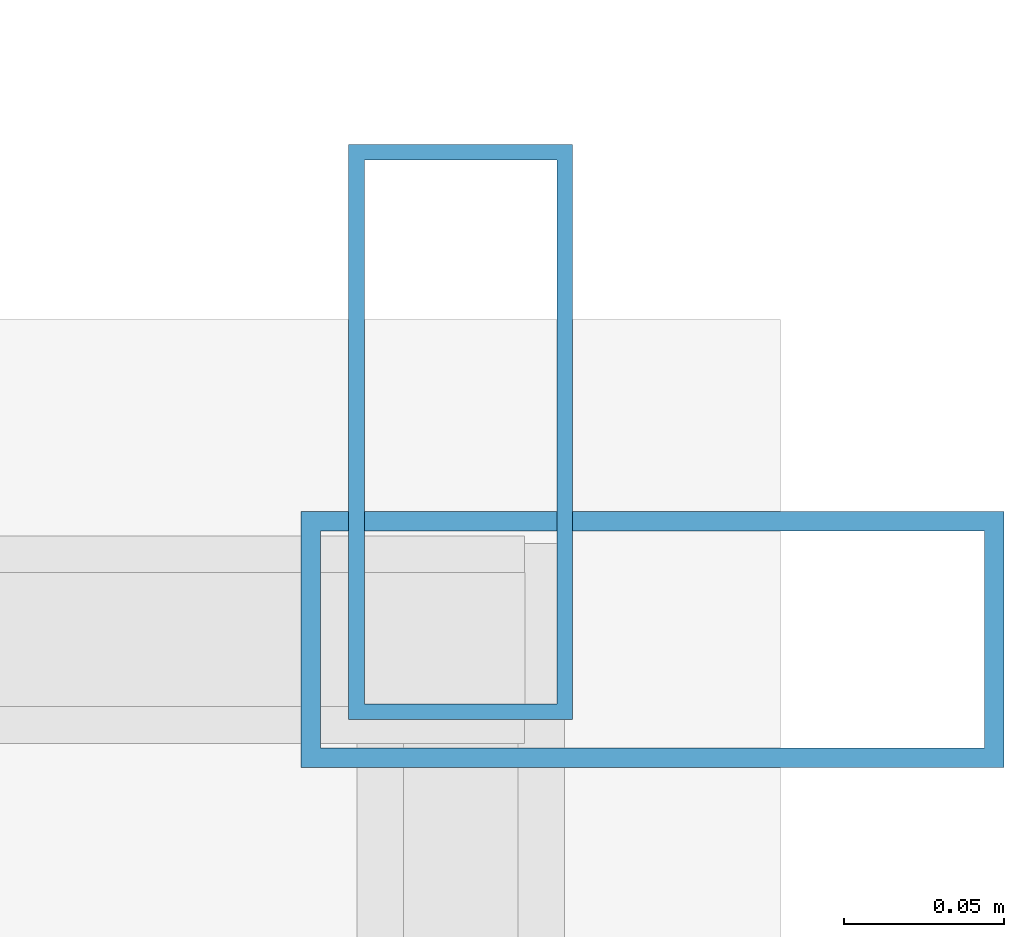
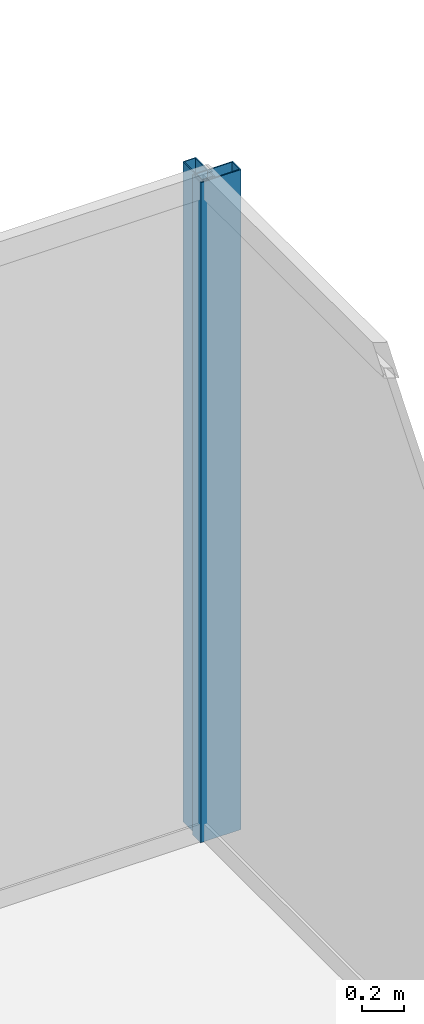
# One storey, part 26 of 33: 2 members, 2 elements without a shape of their own.
"""IFC4 building model written with IfcOpenShell, lengths in metres."""

from ifc_helpers import new_model, si_unit, direction, frame, origin, origin_2d, place, context, subcontext, project, spatial, hollow_rectangle, extrude, source, transform, mapped, material, layer, layer_set, material_profile, profile_set, type_object, type_shapes, element, aggregate, save


model = new_model("IFC4")

# Units and contexts
model_context = context("Model", 3, precision=1e-05, world=origin(), true_north=direction((0.0, 1.0)))
body_context = subcontext(model_context, "Body", "Model", "MODEL_VIEW")
ifc_project = project(units=[si_unit("LENGTHUNIT", "METRE"), si_unit("AREAUNIT", "SQUARE_METRE"), si_unit("VOLUMEUNIT", "CUBIC_METRE"), si_unit("PLANEANGLEUNIT", "RADIAN"), si_unit("MASSUNIT", "GRAM", prefix="KILO")], contexts=[model_context])

# Site, building, storey
site_placement = place(None, origin())
site = spatial("IfcSite", under=ifc_project, at=site_placement, CompositionType="ELEMENT")
building_placement = place(site_placement, origin())
building = spatial("IfcBuilding", under=site, at=building_placement, Name="Haelvirn Gate Laboratories", CompositionType="ELEMENT")
storey_placement = place(building_placement, frame((0.0, 0.0, 279.300048828125)))
storey = spatial("IfcBuildingStorey", under=building, at=storey_placement, Name="L67", CompositionType="ELEMENT", Elevation=279.300048828125)

# Curtain wall, member
ifc_material_1 = material(Name="Anodised bronze unitised aluminium & triple low-E glass", Category="aluminium")
ifc_layer_1 = layer(ifc_material_1, 0.176025390625, Name="CW-SYS-4")
ifc_layer_set_1 = layer_set([ifc_layer_1], Name="Anodised bronze unitised aluminium & triple low-E glass")
curtain_wall_type_1 = type_object("IfcCurtainWallType", Name="CW-SYS-4", PredefinedType="NOTDEFINED", material=ifc_layer_set_1)
curtain_wall_1_placement = place(storey_placement, origin())
curtain_wall_1 = element("IfcCurtainWall", 1, at=curtain_wall_1_placement, inside=storey, type_object=curtain_wall_type_1, Name="L67 Unitised Curtain Wall CW-L67-P0-E07", PredefinedType="NOTDEFINED")
ifc_material_2 = material(Name="Extruded aluminium 6063-T6 (anodised bronze)", Category="aluminium")
ifc_material_profile_1 = material_profile(ifc_material_2, hollow_rectangle(XDim=0.070068359375, YDim=0.179931640625, WallThickness=0.0048828125, at=origin_2d()), Name="CWM-180x70x5")
ifc_profile_set_1 = profile_set([ifc_material_profile_1], Name="Extruded aluminium 6063-T6 (anodised bronze)")
member_type_1 = type_object("IfcMemberType", Name="CWM-T180", PredefinedType="MULLION", material=ifc_profile_set_1)
shared_shape_1 = source(origin(), body_context, "Body", "SweptSolid", [
    extrude(hollow_rectangle(XDim=0.070068359375, YDim=0.179931640625, WallThickness=0.0048828125, at=origin_2d()), origin(), (0.0, 0.0, 1.0), 3.800048828125),
])
type_shapes(member_type_1, [shared_shape_1])
member_1_placement = place(storey_placement, frame((70.699951171875, 42.764892578125, 0.0), z_axis=(0.0, 0.0, 1.0), x_axis=(-1.0, 0.0, 0.0)))
member_1 = element("IfcMember", 2, at=member_1_placement, type_object=member_type_1, Name="CW4 mullion 3", PredefinedType="MULLION", context=body_context, shape_type="MappedRepresentation", body=[
    mapped(shared_shape_1, transform((0.0, 0.0, 0.0), scale=1.0)),
])
aggregate(curtain_wall_1, [member_1])

ifc_layer_2 = layer(ifc_material_1, 0.181884765625, Name="CW-SYS-5")
ifc_layer_set_2 = layer_set([ifc_layer_2], Name="Anodised bronze unitised aluminium & triple low-E glass")
curtain_wall_type_2 = type_object("IfcCurtainWallType", Name="CW-SYS-5", PredefinedType="NOTDEFINED", material=ifc_layer_set_2)
curtain_wall_2_placement = place(storey_placement, origin())
curtain_wall_2 = element("IfcCurtainWall", 3, at=curtain_wall_2_placement, inside=storey, type_object=curtain_wall_type_2, Name="L67 Unitised Curtain Wall CW-L67-P0-E08-1", PredefinedType="NOTDEFINED")
ifc_material_profile_2 = material_profile(ifc_material_2, hollow_rectangle(XDim=0.080078125, YDim=0.219970703125, WallThickness=0.006103515625, at=origin_2d()), Name="CWM-220x80x6")
ifc_profile_set_2 = profile_set([ifc_material_profile_2], Name="Extruded aluminium 6063-T6 (anodised bronze)")
member_type_2 = type_object("IfcMemberType", Name="CWM-T220", PredefinedType="MULLION", material=ifc_profile_set_2)
shared_shape_2 = source(origin(), body_context, "Body", "SweptSolid", [
    extrude(hollow_rectangle(XDim=0.080078125, YDim=0.219970703125, WallThickness=0.006103515625, at=origin_2d()), origin(), (0.0, 0.0, 1.0), 3.800048828125),
])
type_shapes(member_type_2, [shared_shape_2])
member_2_placement = place(storey_placement, frame((70.760009765625, 42.699951171875, 0.0), z_axis=(0.0, 0.0, 1.0), x_axis=(0.0, 1.0, 0.0)))
member_2 = element("IfcMember", 4, at=member_2_placement, type_object=member_type_2, Name="CW5 mullion 2", PredefinedType="MULLION", context=body_context, shape_type="MappedRepresentation", body=[
    mapped(shared_shape_2, transform((0.0, 0.0, 0.0), scale=1.0)),
])
aggregate(curtain_wall_2, [member_2])

save(model, "model.ifc")
